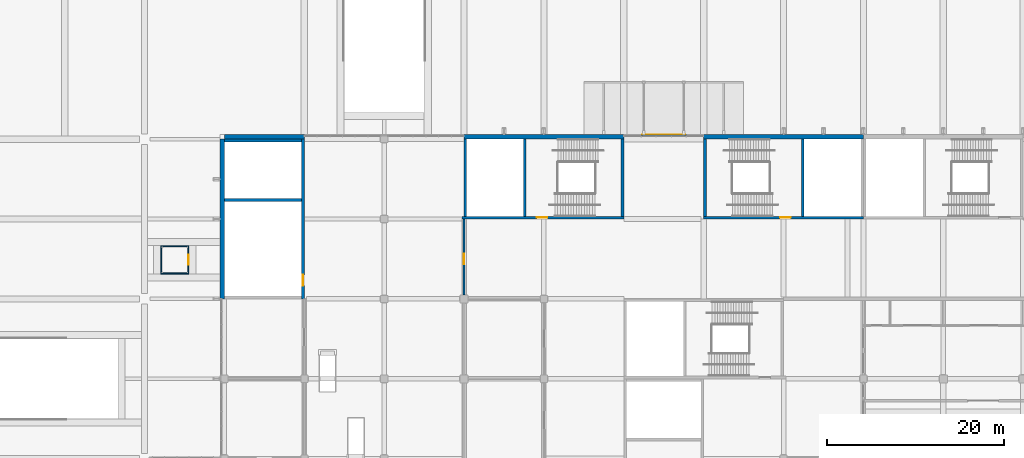
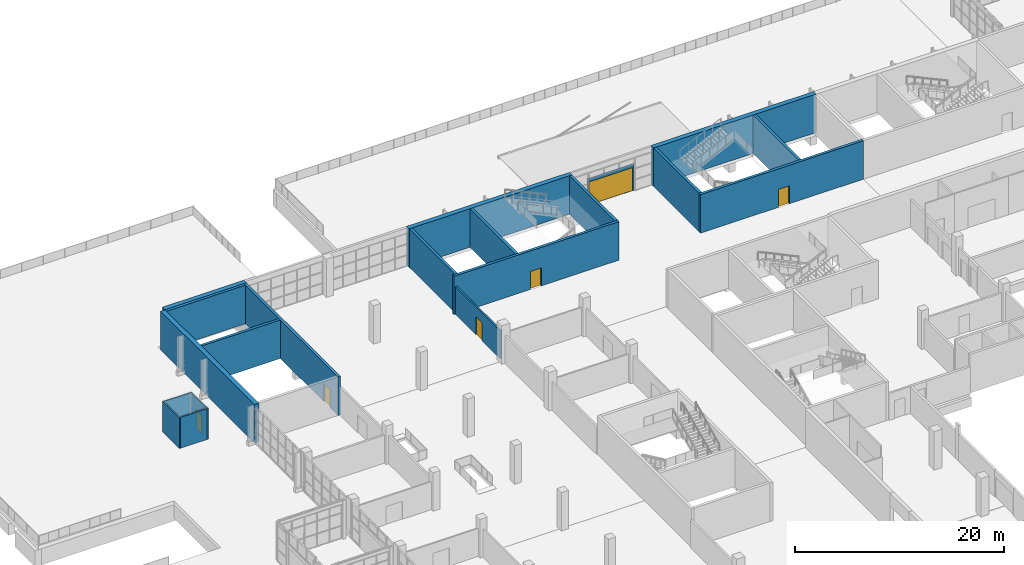
# One storey, part 106 of 168: 20 walls, 6 doors, 6 openings.
"""IFC4 building model written with IfcOpenShell, lengths in metres."""

from ifc_helpers import new_model, si_unit, direction, frame, frame_2d, origin, place, context, subcontext, project, spatial, rectangle, extrude, material, layer, layer_set, type_object, element, fill, save


model = new_model("IFC4")

# Units and contexts
model_context = context("Model", 3, precision=1e-05, world=origin(), true_north=direction((0.0, 1.0)))
body_context = subcontext(model_context, "Body", "Model", "MODEL_VIEW")
ifc_project = project(units=[si_unit("LENGTHUNIT", "METRE"), si_unit("AREAUNIT", "SQUARE_METRE"), si_unit("VOLUMEUNIT", "CUBIC_METRE"), si_unit("PLANEANGLEUNIT", "RADIAN"), si_unit("MASSUNIT", "GRAM", prefix="KILO")], contexts=[model_context])

# Site, building, storey
site_placement = place(None, origin())
site = spatial("IfcSite", under=ifc_project, at=site_placement, CompositionType="ELEMENT")
building_placement = place(site_placement, origin())
building = spatial("IfcBuilding", under=site, at=building_placement, Name="Silverbay Arena", CompositionType="ELEMENT")
storey_placement = place(building_placement, frame((0.0, 0.0, 7.0)))
storey = spatial("IfcBuildingStorey", under=building, at=storey_placement, Name="L01", CompositionType="ELEMENT", Elevation=7.0)

# Wall, opening, door
ifc_material_1 = material(Name="Concrete Grade C45", Category="concrete")
ifc_layer_1 = layer(ifc_material_1, 0.300048828125)
ifc_layer_set_1 = layer_set([ifc_layer_1], Name="Concrete Grade C45")
wall_type_1 = type_object("IfcWallType", Name="Core wall RC 300 EI 120", PredefinedType="SHEAR", material=ifc_layer_set_1)
wall_1_placement = place(storey_placement, frame((81.0, 135.14990234375, 0.0), z_axis=(0.0, 0.0, 1.0), x_axis=(1.0, 0.0, 0.0)))
wall_1 = element("IfcWall", 1, at=wall_1_placement, inside=storey, type_object=wall_type_1, Name="Core wall ST-N1 L01 door side", PredefinedType="SHEAR", context=body_context, shape_type="SweptSolid", body=[
    extrude(rectangle(XDim=18.0, YDim=0.300048828125, at=frame_2d((9.0, 0.0))), origin(), (0.0, 0.0, 1.0), 4.5),
])
opening_1_placement = place(wall_1_placement, frame((8.60009765625, 0.0, 0.0)))
opening_1 = element("IfcOpeningElement", 2, at=opening_1_placement, cuts=wall_1, Name="Opening L01-105", PredefinedType="OPENING", context=body_context, shape_type="SweptSolid", body=[
    extrude(rectangle(XDim=1.199951171875, YDim=2.10009765625, at=frame_2d((0.60009765625, 1.050048828125))), frame((0.0, 0.16015625, 0.0), z_axis=(0.0, -1.0, 0.0), x_axis=(1.0, 0.0, 0.0)), (0.0, 0.0, 1.0), 0.320068359375),
])
ifc_material_2 = material(Name="Steel fire door", Category="steel")
door_type_1 = type_object("IfcDoorType", Name="Stair door 1200 x 2100 fire door", OperationType="SINGLE_SWING_LEFT", PredefinedType="DOOR", material=ifc_material_2)
door_1_placement = place(opening_1_placement, origin())
door_1 = element("IfcDoor", 3, at=door_1_placement, inside=storey, type_object=door_type_1, Name="Stair door ST-N1 L01", OperationType="SINGLE_SWING_RIGHT", OverallHeight=2.10009765625, OverallWidth=1.199951171875, PredefinedType="DOOR", context=body_context, shape_type="SweptSolid", body=[
    extrude(rectangle(XDim=1.199951171875, YDim=2.10009765625, at=frame_2d((0.60009765625, 1.050048828125))), frame((0.0, 0.02490234375, 0.0), z_axis=(0.0, -1.0, 0.0), x_axis=(1.0, 0.0, 0.0)), (0.0, 0.0, 1.0), 0.050048828125),
])
fill(opening_1, door_1)

# Walls
for number, where, z_axis, x_axis, name in (
    (4, (81.14990234375, 135.300048828125, 0.0), (0.0, 0.0, 1.0), (0.0, 1.0, 0.0), "Core wall ST-N1 L01 end 1"),
    (5, (92.14990234375, 135.300048828125, 0.0), (0.0, 0.0, 1.0), (0.0, 1.0, 0.0), "Core wall ST-N1 L01 stair enclosure"),
):
    element("IfcWall", number, at=place(storey_placement, frame(where, z_axis=z_axis, x_axis=x_axis)), inside=storey, type_object=wall_type_1, Name=name, PredefinedType="SHEAR", context=body_context, shape_type="SweptSolid", body=[
        extrude(rectangle(XDim=8.699951171875, YDim=0.300048828125, at=frame_2d((4.35009765625, 0.0))), origin(), (0.0, 0.0, 1.0), 4.5),
    ])

# Wall, opening, door
wall_2_placement = place(storey_placement, frame((72.0, 135.14990234375, 0.0), z_axis=(0.0, 0.0, 1.0), x_axis=(-1.0, 0.0, 0.0)))
wall_2 = element("IfcWall", 6, at=wall_2_placement, inside=storey, type_object=wall_type_1, Name="Core wall ST-N5 L01 door side", PredefinedType="SHEAR", context=body_context, shape_type="SweptSolid", body=[
    extrude(rectangle(XDim=18.25, YDim=0.300048828125, at=frame_2d((9.125, 0.0))), origin(), (0.0, 0.0, 1.0), 4.5),
])
opening_2_placement = place(wall_2_placement, frame((8.60009765625, 0.0, 0.0)))
opening_2 = element("IfcOpeningElement", 7, at=opening_2_placement, cuts=wall_2, Name="Opening L01-111", PredefinedType="OPENING", context=body_context, shape_type="SweptSolid", body=[
    extrude(rectangle(XDim=1.199951171875, YDim=2.10009765625, at=frame_2d((0.60009765625, 1.050048828125))), frame((0.0, 0.16015625, 0.0), z_axis=(0.0, -1.0, 0.0), x_axis=(1.0, 0.0, 0.0)), (0.0, 0.0, 1.0), 0.320068359375),
])
door_2_placement = place(opening_2_placement, frame((1.199951171875, 0.0, 0.0), z_axis=(0.0, 0.0, 1.0), x_axis=(-1.0, 0.0, 0.0)))
door_2 = element("IfcDoor", 8, at=door_2_placement, inside=storey, type_object=door_type_1, Name="Stair door ST-N5 L01", OperationType="SINGLE_SWING_LEFT", OverallHeight=2.10009765625, OverallWidth=1.199951171875, PredefinedType="DOOR", context=body_context, shape_type="SweptSolid", body=[
    extrude(rectangle(XDim=1.199951171875, YDim=2.10009765625, at=frame_2d((0.60009765625, 1.050048828125))), frame((0.0, 0.02490234375, 0.0), z_axis=(0.0, -1.0, 0.0), x_axis=(1.0, 0.0, 0.0)), (0.0, 0.0, 1.0), 0.050048828125),
])
fill(opening_2, door_2)

# Walls
for number, where, z_axis, x_axis, name in (
    (9, (71.85009765625, 135.300048828125, 0.0), (0.0, 0.0, 1.0), (0.0, 1.0, 0.0), "Core wall ST-N5 L01 end 1"),
    (10, (54.14990234375, 135.300048828125, 0.0), (0.0, 0.0, 1.0), (0.0, 1.0, 0.0), "Core wall ST-N5 L01 end 2"),
    (11, (60.85009765625, 135.300048828125, 0.0), (0.0, 0.0, 1.0), (0.0, 1.0, 0.0), "Core wall ST-N5 L01 stair enclosure"),
):
    element("IfcWall", number, at=place(storey_placement, frame(where, z_axis=z_axis, x_axis=x_axis)), inside=storey, type_object=wall_type_1, Name=name, PredefinedType="SHEAR", context=body_context, shape_type="SweptSolid", body=[
        extrude(rectangle(XDim=8.699951171875, YDim=0.300048828125, at=frame_2d((4.35009765625, 0.0))), origin(), (0.0, 0.0, 1.0), 4.5),
    ])

# Wall, opening, door
wall_3_placement = place(storey_placement, frame((35.85009765625, 126.0, 0.0), z_axis=(0.0, 0.0, 1.0), x_axis=(0.0, 1.0, 0.0)))
wall_3 = element("IfcWall", 12, at=wall_3_placement, inside=storey, type_object=wall_type_1, Name="Core wall ST-WG2 L01 door side", PredefinedType="SHEAR", context=body_context, shape_type="SweptSolid", body=[
    extrude(rectangle(XDim=18.0, YDim=0.300048828125, at=frame_2d((9.0, 0.0))), origin(), (0.0, 0.0, 1.0), 4.5),
])
opening_3_placement = place(wall_3_placement, frame((1.5, 0.0, 0.0)))
opening_3 = element("IfcOpeningElement", 13, at=opening_3_placement, cuts=wall_3, Name="Opening L01-126", PredefinedType="OPENING", context=body_context, shape_type="SweptSolid", body=[
    extrude(rectangle(XDim=1.199951171875, YDim=2.10009765625, at=frame_2d((0.60009765625, 1.050048828125))), frame((0.0, 0.16015625, 0.0), z_axis=(0.0, -1.0, 0.0), x_axis=(1.0, 0.0, 0.0)), (0.0, 0.0, 1.0), 0.320068359375),
])
door_3_placement = place(opening_3_placement, origin())
door_3 = element("IfcDoor", 14, at=door_3_placement, inside=storey, type_object=door_type_1, Name="Stair door ST-WG2 L01", OperationType="SINGLE_SWING_LEFT", OverallHeight=2.10009765625, OverallWidth=1.199951171875, PredefinedType="DOOR", context=body_context, shape_type="SweptSolid", body=[
    extrude(rectangle(XDim=1.199951171875, YDim=2.10009765625, at=frame_2d((0.60009765625, 1.050048828125))), frame((0.0, 0.02490234375, 0.0), z_axis=(0.0, -1.0, 0.0), x_axis=(1.0, 0.0, 0.0)), (0.0, 0.0, 1.0), 0.050048828125),
])
fill(opening_3, door_3)

# Walls
for number, where, z_axis, x_axis, name in (
    (15, (35.699951171875, 143.85009765625, 0.0), (0.0, 0.0, 1.0), (-1.0, 0.0, 0.0), "Core wall ST-WG2 L01 end 2"),
    (16, (35.699951171875, 137.14990234375, 0.0), (0.0, 0.0, 1.0), (-1.0, 0.0, 0.0), "Core wall ST-WG2 L01 stair enclosure"),
):
    element("IfcWall", number, at=place(storey_placement, frame(where, z_axis=z_axis, x_axis=x_axis)), inside=storey, type_object=wall_type_1, Name=name, PredefinedType="SHEAR", context=body_context, shape_type="SweptSolid", body=[
        extrude(rectangle(XDim=8.699951171875, YDim=0.300048828125, at=frame_2d((4.35009765625, 0.0))), origin(), (0.0, 0.0, 1.0), 4.5),
    ])
ifc_material_3 = material(Name="Concrete Grade C45", Category="concrete")
ifc_layer_2 = layer(ifc_material_3, 0.5)
ifc_layer_set_2 = layer_set([ifc_layer_2], Name="Concrete Grade C45")
wall_type_2 = type_object("IfcWallType", Name="Core wall RC 500 external EI 120", PredefinedType="SHEAR", material=ifc_layer_set_2)
for number, where, z_axis, x_axis, name in (
    (17, (81.0, 144.25, 0.0), (0.0, 0.0, 1.0), (1.0, 0.0, 0.0), "Core wall ST-N1 L01 facade side"),
    (18, (72.0, 144.25, 0.0), (0.0, 0.0, 1.0), (-1.0, 0.0, 0.0), "Core wall ST-N5 L01 facade side"),
    (19, (26.75, 126.0, 0.0), (0.0, 0.0, 1.0), (0.0, 1.0, 0.0), "Core wall ST-WG2 L01 facade side"),
):
    element("IfcWall", number, at=place(storey_placement, frame(where, z_axis=z_axis, x_axis=x_axis)), inside=storey, type_object=wall_type_2, Name=name, PredefinedType="SHEAR", context=body_context, shape_type="SweptSolid", body=[
        extrude(rectangle(XDim=18.0, YDim=0.5, at=frame_2d((9.0, 0.0))), origin(), (0.0, 0.0, 1.0), 4.5),
    ])

# Wall, opening, door
ifc_material_4 = material(Name="Glass and aluminium", Category="aluminium")
ifc_layer_3 = layer(ifc_material_4, 0.1201171875)
ifc_layer_set_3 = layer_set([ifc_layer_3], Name="Glass and aluminium")
wall_type_3 = type_object("IfcWallType", Name="Fire-resisting glazed lift enclosure 120", PredefinedType="PARTITIONING", material=ifc_layer_set_3)
wall_4_placement = place(storey_placement, frame((22.93994140625, 128.800048828125, 0.0), z_axis=(0.0, 0.0, 1.0), x_axis=(0.0, 1.0, 0.0)))
wall_4 = element("IfcWall", 20, at=wall_4_placement, inside=storey, type_object=wall_type_3, Name="Glazed lift enclosure LB-D2 L01 landing side", PredefinedType="PARTITIONING", context=body_context, shape_type="SweptSolid", body=[
    extrude(rectangle(XDim=3.199951171875, YDim=0.1201171875, at=frame_2d((1.60009765625, 0.0))), origin(), (0.0, 0.0, 1.0), 3.60009765625),
])
opening_4_placement = place(wall_4_placement, frame((1.050048828125, 0.0, 0.0)))
opening_4 = element("IfcOpeningElement", 21, at=opening_4_placement, cuts=wall_4, Name="Opening L01-150", PredefinedType="OPENING", context=body_context, shape_type="SweptSolid", body=[
    extrude(rectangle(XDim=1.10009765625, YDim=2.10009765625, at=frame_2d((0.550048828125, 1.050048828125))), frame((0.0, 0.070068359375, 0.0), z_axis=(0.0, -1.0, 0.0), x_axis=(1.0, 0.0, 0.0)), (0.0, 0.0, 1.0), 0.14013671875),
])
ifc_material_5 = material(Name="Stainless steel", Category="steel")
door_type_2 = type_object("IfcDoorType", Name="LD1 lift landing door 1100 x 2100", OperationType="DOUBLE_DOOR_SLIDING", PredefinedType="DOOR", material=ifc_material_5)
door_4_placement = place(opening_4_placement, origin())
door_4 = element("IfcDoor", 22, at=door_4_placement, inside=storey, type_object=door_type_2, Name="Lift landing door LF26 L01", OperationType="DOUBLE_DOOR_SLIDING", OverallHeight=2.10009765625, OverallWidth=1.10009765625, PredefinedType="DOOR", context=body_context, shape_type="SweptSolid", body=[
    extrude(rectangle(XDim=1.10009765625, YDim=2.10009765625, at=frame_2d((0.550048828125, 1.050048828125))), frame((0.0, 0.02490234375, 0.0), z_axis=(0.0, -1.0, 0.0), x_axis=(1.0, 0.0, 0.0)), (0.0, 0.0, 1.0), 0.050048828125),
])
fill(opening_4, door_4)

# Walls
wall_5_placement = place(storey_placement, frame((19.860107421875, 128.800048828125, 0.0), z_axis=(0.0, 0.0, 1.0), x_axis=(0.0, 1.0, 0.0)))
element("IfcWall", 23, at=wall_5_placement, inside=storey, type_object=wall_type_3, Name="Glazed lift enclosure LB-D2 L01 back", PredefinedType="PARTITIONING", context=body_context, shape_type="SweptSolid", body=[
    extrude(rectangle(XDim=3.199951171875, YDim=0.1201171875, at=frame_2d((1.60009765625, 0.0))), origin(), (0.0, 0.0, 1.0), 3.60009765625),
])
for number, where, z_axis, x_axis, name in (
    (24, (19.919921875, 128.860107421875, 0.0), (0.0, 0.0, 1.0), (1.0, 0.0, 0.0), "Glazed lift enclosure LB-D2 L01 south"),
    (25, (19.919921875, 131.93994140625, 0.0), (0.0, 0.0, 1.0), (1.0, 0.0, 0.0), "Glazed lift enclosure LB-D2 L01 north"),
):
    element("IfcWall", number, at=place(storey_placement, frame(where, z_axis=z_axis, x_axis=x_axis)), inside=storey, type_object=wall_type_3, Name=name, PredefinedType="PARTITIONING", context=body_context, shape_type="SweptSolid", body=[
        extrude(rectangle(XDim=2.9599609375, YDim=0.1201171875, at=frame_2d((1.47998046875, 0.0))), origin(), (0.0, 0.0, 1.0), 3.60009765625),
    ])

# Wall, opening, door
ifc_material_6 = material(Name="Aluminium and glass", Category="aluminium")
ifc_layer_4 = layer(ifc_material_6, 0.10009765625)
ifc_layer_set_4 = layer_set([ifc_layer_4], Name="Aluminium and glass")
wall_type_4 = type_object("IfcWallType", Name="Glazed entrance screen 100", PredefinedType="SOLIDWALL", material=ifc_layer_set_4)
wall_6_placement = place(storey_placement, frame((79.050048828125, 144.449951171875, 0.0), z_axis=(0.0, 0.0, 1.0), x_axis=(-1.0, 0.0, 0.0)))
wall_6 = element("IfcWall", 26, at=wall_6_placement, inside=storey, type_object=wall_type_4, Name="North entrance screen L01 bay 6", PredefinedType="SOLIDWALL", context=body_context, shape_type="SweptSolid", body=[
    extrude(rectangle(XDim=5.10009765625, YDim=0.10009765625, at=frame_2d((2.550048828125, 0.0))), origin(), (0.0, 0.0, 1.0), 3.10009765625),
])
opening_5_placement = place(wall_6_placement, frame((0.14990234375, 0.0, 0.0)))
opening_5 = element("IfcOpeningElement", 27, at=opening_5_placement, cuts=wall_6, Name="Opening L01-090", PredefinedType="OPENING", context=body_context, shape_type="SweptSolid", body=[
    extrude(rectangle(XDim=4.800048828125, YDim=2.699951171875, at=frame_2d((2.39990234375, 1.35009765625))), frame((0.0, 0.06005859375, 0.0), z_axis=(0.0, -1.0, 0.0), x_axis=(1.0, 0.0, 0.0)), (0.0, 0.0, 1.0), 0.1201171875),
])
ifc_material_7 = material(Name="Aluminium and glass", Category="aluminium")
door_type_3 = type_object("IfcDoorType", Name="Entrance door 4800 x 2700", OperationType="DOUBLE_DOOR_SINGLE_SWING", PredefinedType="DOOR", material=ifc_material_7)
door_5_placement = place(opening_5_placement, frame((4.800048828125, 0.0, 0.0), z_axis=(0.0, 0.0, 1.0), x_axis=(-1.0, 0.0, 0.0)))
door_5 = element("IfcDoor", 28, at=door_5_placement, inside=storey, type_object=door_type_3, Name="Main entrance E6", OperationType="DOUBLE_DOOR_SINGLE_SWING", OverallHeight=2.699951171875, OverallWidth=4.800048828125, PredefinedType="DOOR", context=body_context, shape_type="SweptSolid", body=[
    extrude(rectangle(XDim=4.800048828125, YDim=2.699951171875, at=frame_2d((2.39990234375, 1.35009765625))), frame((0.0, 0.02490234375, 0.0), z_axis=(0.0, -1.0, 0.0), x_axis=(1.0, 0.0, 0.0)), (0.0, 0.0, 1.0), 0.050048828125),
])
fill(opening_5, door_5)

ifc_material_8 = material(Name="Masonry blockwork partition", Category="masonry")
ifc_layer_5 = layer(ifc_material_8, 0.199951171875)
ifc_layer_set_5 = layer_set([ifc_layer_5], Name="Masonry blockwork partition")
wall_type_5 = type_object("IfcWallType", Name="Partition 200 EI 120", PredefinedType="PARTITIONING", material=ifc_layer_set_5)
wall_7_placement = place(storey_placement, frame((54.0, 126.449951171875, 0.0), z_axis=(0.0, 0.0, 1.0), x_axis=(0.0, 1.0, 0.0)))
wall_7 = element("IfcWall", 29, at=wall_7_placement, inside=storey, type_object=wall_type_5, Name="Partition wall", PredefinedType="PARTITIONING", context=body_context, shape_type="SweptSolid", body=[
    extrude(rectangle(XDim=8.550048828125, YDim=0.199951171875, at=frame_2d((4.27490234375, 0.0))), origin(), (0.0, 0.0, 1.0), 3.25),
])
opening_6_placement = place(wall_7_placement, frame((3.449951171875, 0.0, 0.0)))
opening_6 = element("IfcOpeningElement", 30, at=opening_6_placement, cuts=wall_7, Name="Opening L01-062", PredefinedType="OPENING", context=body_context, shape_type="SweptSolid", body=[
    extrude(rectangle(XDim=1.199951171875, YDim=2.10009765625, at=frame_2d((0.60009765625, 1.050048828125))), frame((0.0, 0.10986328125, 0.0), z_axis=(0.0, -1.0, 0.0), x_axis=(1.0, 0.0, 0.0)), (0.0, 0.0, 1.0), 0.219970703125),
])
ifc_material_9 = material(Name="Steel faced timber", Category="steel")
door_type_4 = type_object("IfcDoorType", Name="Single leaf door 1200 x 2100 FD120", OperationType="SINGLE_SWING_LEFT", PredefinedType="DOOR", material=ifc_material_9)
door_6_placement = place(opening_6_placement, frame((1.199951171875, 0.0, 0.0), z_axis=(0.0, 0.0, 1.0), x_axis=(-1.0, 0.0, 0.0)))
door_6 = element("IfcDoor", 31, at=door_6_placement, inside=storey, type_object=door_type_4, Name="Door L01-062", OperationType="SINGLE_SWING_RIGHT", OverallHeight=2.10009765625, OverallWidth=1.199951171875, PredefinedType="DOOR", context=body_context, shape_type="SweptSolid", body=[
    extrude(rectangle(XDim=1.199951171875, YDim=2.10009765625, at=frame_2d((0.60009765625, 1.050048828125))), frame((0.0, 0.02490234375, 0.0), z_axis=(0.0, -1.0, 0.0), x_axis=(1.0, 0.0, 0.0)), (0.0, 0.0, 1.0), 0.050048828125),
])
fill(opening_6, door_6)

# Wall
ifc_material_10 = material(Name="Concrete Grade C45", Category="concrete")
ifc_layer_6 = layer(ifc_material_10, 0.5)
ifc_layer_set_6 = layer_set([ifc_layer_6], Name="Concrete Grade C45")
wall_type_6 = type_object("IfcWallType", Name="Stair core facade wall 500", PredefinedType="SOLIDWALL", material=ifc_layer_set_6)
wall_8_placement = place(storey_placement, frame((36.0, 144.25, 0.0), z_axis=(0.0, 0.0, 1.0), x_axis=(-1.0, 0.0, 0.0)))
element("IfcWall", 32, at=wall_8_placement, inside=storey, type_object=wall_type_6, Name="North stair core facade wall L01 bay 1", PredefinedType="SOLIDWALL", context=body_context, shape_type="SweptSolid", body=[
    extrude(rectangle(XDim=9.0, YDim=0.5, at=frame_2d((4.5, 0.0))), origin(), (0.0, 0.0, 1.0), 4.5),
])

save(model, "model.ifc")
